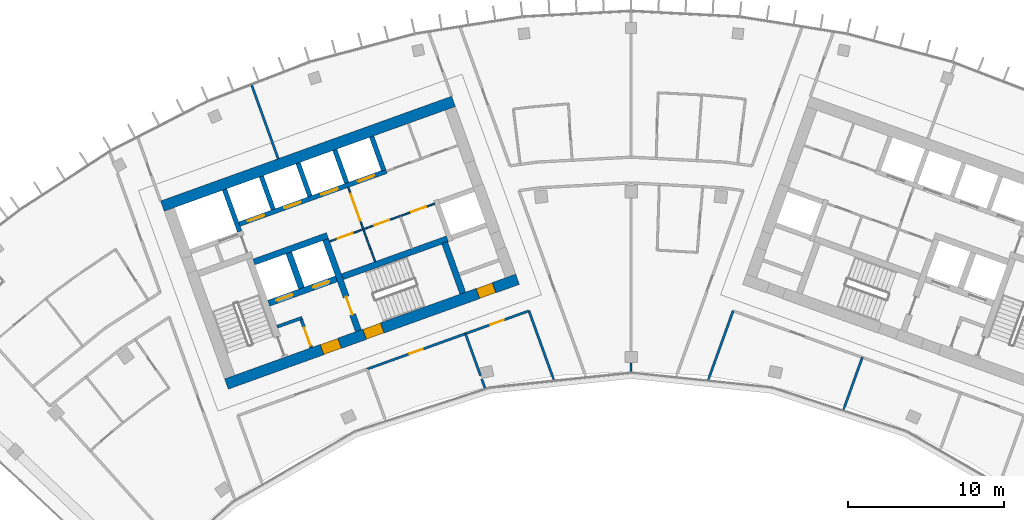
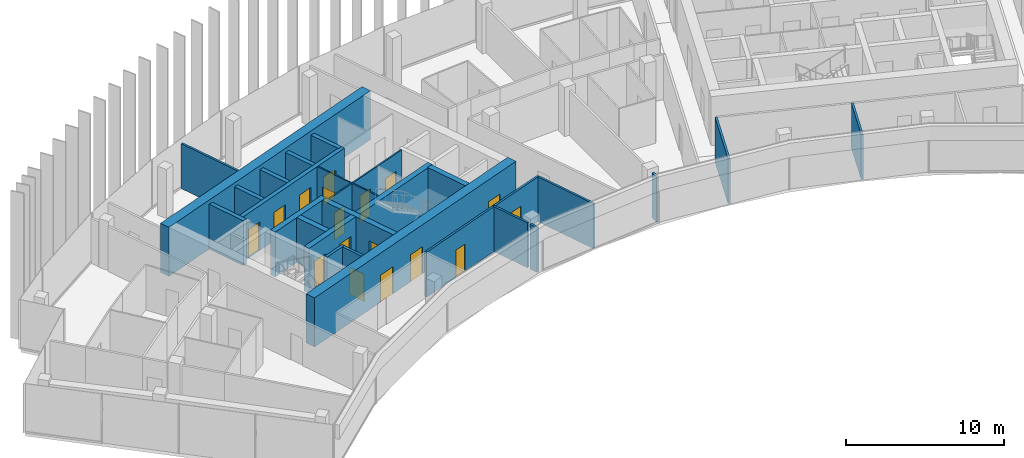
# One storey, part 14 of 19: 26 walls, 17 doors, 17 openings.
"""IFC4 building model written with IfcOpenShell, lengths in metres."""

from ifc_helpers import new_model, si_unit, direction, frame, frame_2d, origin, place, context, subcontext, project, spatial, rectangle, extrude, material, layer, layer_set, type_object, element, fill, save


model = new_model("IFC4")

# Units and contexts
model_context = context("Model", 3, precision=1e-05, world=origin(), true_north=direction((0.0, 1.0)))
body_context = subcontext(model_context, "Body", "Model", "MODEL_VIEW")
ifc_project = project(units=[si_unit("LENGTHUNIT", "METRE"), si_unit("AREAUNIT", "SQUARE_METRE"), si_unit("VOLUMEUNIT", "CUBIC_METRE"), si_unit("PLANEANGLEUNIT", "RADIAN"), si_unit("MASSUNIT", "GRAM", prefix="KILO")], contexts=[model_context])

# Site, building, storey
site_placement = place(None, origin())
site = spatial("IfcSite", under=ifc_project, at=site_placement, CompositionType="ELEMENT")
building_placement = place(site_placement, origin())
building = spatial("IfcBuilding", under=site, at=building_placement, Name="Stone Belt Terrace Tower", CompositionType="ELEMENT")
storey_placement = place(building_placement, frame((0.0, 0.0, 280.800048828125)))
storey = spatial("IfcBuildingStorey", under=building, at=storey_placement, Name="L68", CompositionType="ELEMENT", Elevation=280.800048828125)

# Wall, openings, doors
ifc_material_1 = material(Name="Plasterboard partition")
ifc_layer_1 = layer(ifc_material_1, 0.10009765625)
ifc_layer_set_1 = layer_set([ifc_layer_1], Name="Core partition 100")
wall_type_1 = type_object("IfcWallType", Name="Core partition 100", PredefinedType="PARTITIONING", material=ifc_layer_set_1)
wall_1_placement = place(storey_placement, frame((-19.29052734375, 51.829833984375, 0.0), z_axis=(0.0, 0.0, 1.0), x_axis=(0.94092179465, 0.338623945331, 0.0)))
wall_1 = element("IfcWall", 1, at=wall_1_placement, inside=storey, type_object=wall_type_1, Name="Core A wall", PredefinedType="PARTITIONING", context=body_context, shape_type="SweptSolid", body=[
    extrude(rectangle(XDim=7.14990234375, YDim=0.10009765625, at=frame_2d((3.574951171875, 0.0))), origin(), (0.0, 0.0, 1.0), 3.47998046875),
])
opening_1_placement = place(wall_1_placement, frame((0.550048828125, 0.0, 0.0)))
opening_1 = element("IfcOpeningElement", 2, at=opening_1_placement, cuts=wall_1, Name="Opening L68-C03", PredefinedType="OPENING", context=body_context, shape_type="SweptSolid", body=[
    extrude(rectangle(XDim=1.0, YDim=2.10009765625, at=frame_2d((0.5, 1.050048828125))), frame((0.0, 0.06005859375, 0.0), z_axis=(0.0, -1.0, 0.0), x_axis=(1.0, 0.0, 0.0)), (0.0, 0.0, 1.0), 0.1201171875),
])
opening_2_placement = place(wall_1_placement, frame((3.050048828125, 0.0, 0.0)))
opening_2 = element("IfcOpeningElement", 3, at=opening_2_placement, cuts=wall_1, Name="Opening L68-C04", PredefinedType="OPENING", context=body_context, shape_type="SweptSolid", body=[
    extrude(rectangle(XDim=1.0, YDim=2.10009765625, at=frame_2d((0.5, 1.050048828125))), frame((0.0, 0.06005859375, 0.0), z_axis=(0.0, -1.0, 0.0), x_axis=(1.0, 0.0, 0.0)), (0.0, 0.0, 1.0), 0.1201171875),
])
opening_3_placement = place(wall_1_placement, frame((5.550048828125, 0.0, 0.0)))
opening_3 = element("IfcOpeningElement", 4, at=opening_3_placement, cuts=wall_1, Name="Opening L68-C05", PredefinedType="OPENING", context=body_context, shape_type="SweptSolid", body=[
    extrude(rectangle(XDim=1.0, YDim=2.10009765625, at=frame_2d((0.5, 1.050048828125))), frame((0.0, 0.06005859375, 0.0), z_axis=(0.0, -1.0, 0.0), x_axis=(1.0, 0.0, 0.0)), (0.0, 0.0, 1.0), 0.1201171875),
])
ifc_material_2 = material(Name="Timber door leaf", Category="wood")
door_type_1 = type_object("IfcDoorType", Name="Core room door 1000", OperationType="SINGLE_SWING_LEFT", PredefinedType="DOOR", material=ifc_material_2)
door_1_placement = place(opening_1_placement, origin())
door_1 = element("IfcDoor", 5, at=door_1_placement, inside=storey, type_object=door_type_1, Name="Door to Electrical room core A", OperationType="SINGLE_SWING_LEFT", OverallHeight=2.10009765625, OverallWidth=1.0, PredefinedType="DOOR", context=body_context, shape_type="SweptSolid", body=[
    extrude(rectangle(XDim=1.0, YDim=2.10009765625, at=frame_2d((0.5, 1.050048828125))), frame((0.0, 0.02490234375, 0.0), z_axis=(0.0, -1.0, 0.0), x_axis=(1.0, 0.0, 0.0)), (0.0, 0.0, 1.0), 0.050048828125),
])
fill(opening_1, door_1)
door_2_placement = place(opening_2_placement, origin())
door_2 = element("IfcDoor", 6, at=door_2_placement, inside=storey, type_object=door_type_1, Name="Door to Ventilation plant room core A", OperationType="SINGLE_SWING_RIGHT", OverallHeight=2.10009765625, OverallWidth=1.0, PredefinedType="DOOR", context=body_context, shape_type="SweptSolid", body=[
    extrude(rectangle(XDim=1.0, YDim=2.10009765625, at=frame_2d((0.5, 1.050048828125))), frame((0.0, 0.02490234375, 0.0), z_axis=(0.0, -1.0, 0.0), x_axis=(1.0, 0.0, 0.0)), (0.0, 0.0, 1.0), 0.050048828125),
])
fill(opening_2, door_2)
door_3_placement = place(opening_3_placement, origin())
door_3 = element("IfcDoor", 7, at=door_3_placement, inside=storey, type_object=door_type_1, Name="Door to Services store core A", OperationType="SINGLE_SWING_LEFT", OverallHeight=2.10009765625, OverallWidth=1.0, PredefinedType="DOOR", context=body_context, shape_type="SweptSolid", body=[
    extrude(rectangle(XDim=1.0, YDim=2.10009765625, at=frame_2d((0.5, 1.050048828125))), frame((0.0, 0.02490234375, 0.0), z_axis=(0.0, -1.0, 0.0), x_axis=(1.0, 0.0, 0.0)), (0.0, 0.0, 1.0), 0.050048828125),
])
fill(opening_3, door_3)

# Wall, opening, door
wall_2_placement = place(storey_placement, frame((-16.38134765625, 50.53857421875, 0.0), z_axis=(0.0, 0.0, 1.0), x_axis=(-0.33860476744, 0.940928696271, 0.0)))
wall_2 = element("IfcWall", 8, at=wall_2_placement, inside=storey, type_object=wall_type_1, Name="Core A wall", PredefinedType="PARTITIONING", context=body_context, shape_type="SweptSolid", body=[
    extrude(rectangle(XDim=5.050048828125, YDim=0.10009765625, at=frame_2d((2.52490234375, 0.0))), origin(), (0.0, 0.0, 1.0), 3.47998046875),
])
opening_4_placement = place(wall_2_placement, frame((2.800048828125, 0.0, 0.0)))
opening_4 = element("IfcOpeningElement", 9, at=opening_4_placement, cuts=wall_2, Name="Opening L68-C08", PredefinedType="OPENING", context=body_context, shape_type="SweptSolid", body=[
    extrude(rectangle(XDim=1.800048828125, YDim=2.10009765625, at=frame_2d((0.89990234375, 1.050048828125))), frame((0.0, 0.06005859375, 0.0), z_axis=(0.0, -1.0, 0.0), x_axis=(1.0, 0.0, 0.0)), (0.0, 0.0, 1.0), 0.1201171875),
])
ifc_material_3 = material(Name="Glazed aluminium door leaf", Category="aluminium")
door_type_2 = type_object("IfcDoorType", Name="Lift lobby entrance door 1800", OperationType="DOUBLE_DOOR_SINGLE_SWING", PredefinedType="DOOR", material=ifc_material_3)
door_4_placement = place(opening_4_placement, origin())
door_4 = element("IfcDoor", 10, at=door_4_placement, inside=storey, type_object=door_type_2, Name="Lift lobby double door core A", OperationType="DOUBLE_DOOR_SINGLE_SWING", OverallHeight=2.10009765625, OverallWidth=1.800048828125, PredefinedType="DOOR", context=body_context, shape_type="SweptSolid", body=[
    extrude(rectangle(XDim=1.800048828125, YDim=2.10009765625, at=frame_2d((0.89990234375, 1.050048828125))), frame((0.0, 0.02490234375, 0.0), z_axis=(0.0, -1.0, 0.0), x_axis=(1.0, 0.0, 0.0)), (0.0, 0.0, 1.0), 0.050048828125),
])
fill(opening_4, door_4)

# Wall, openings, doors
ifc_material_4 = material(Name="Concrete B60", Category="concrete")
ifc_layer_2 = layer(ifc_material_4, 0.699951171875)
ifc_layer_set_2 = layer_set([ifc_layer_2], Name="Core wall 700 B60")
wall_type_2 = type_object("IfcWallType", Name="Core wall 700 B60", PredefinedType="SHEAR", material=ifc_layer_set_2)
wall_3_placement = place(storey_placement, frame((-25.890869140625, 42.705810546875, 0.0), z_axis=(0.0, 0.0, 1.0), x_axis=(0.940925130461, 0.338614676094, 0.0)))
wall_3 = element("IfcWall", 11, at=wall_3_placement, inside=storey, type_object=wall_type_2, Name="Core A wall concave L68", PredefinedType="SHEAR", context=body_context, shape_type="SweptSolid", body=[
    extrude(rectangle(XDim=19.800048828125, YDim=0.699951171875, at=frame_2d((9.89990234375, 0.0))), origin(), (0.0, 0.0, 1.0), 3.800048828125),
])
opening_5_placement = place(wall_3_placement, frame((6.5, 0.0, 0.0)))
opening_5 = element("IfcOpeningElement", 12, at=opening_5_placement, cuts=wall_3, Name="Opening L68-C12", PredefinedType="OPENING", context=body_context, shape_type="SweptSolid", body=[
    extrude(rectangle(XDim=1.199951171875, YDim=2.10009765625, at=frame_2d((0.60009765625, 1.050048828125))), frame((0.0, 0.35986328125, 0.0), z_axis=(0.0, -1.0, 0.0), x_axis=(1.0, 0.0, 0.0)), (0.0, 0.0, 1.0), 0.719970703125),
])
opening_6_placement = place(wall_3_placement, frame((9.39990234375, 0.0, 0.0)))
opening_6 = element("IfcOpeningElement", 13, at=opening_6_placement, cuts=wall_3, Name="Opening L68-C14", PredefinedType="OPENING", context=body_context, shape_type="SweptSolid", body=[
    extrude(rectangle(XDim=1.199951171875, YDim=2.10009765625, at=frame_2d((0.60009765625, 1.050048828125))), frame((0.0, 0.35986328125, 0.0), z_axis=(0.0, -1.0, 0.0), x_axis=(1.0, 0.0, 0.0)), (0.0, 0.0, 1.0), 0.719970703125),
])
opening_7_placement = place(wall_3_placement, frame((17.10009765625, 0.0, 0.0)))
opening_7 = element("IfcOpeningElement", 14, at=opening_7_placement, cuts=wall_3, Name="Opening L68-C16", PredefinedType="OPENING", context=body_context, shape_type="SweptSolid", body=[
    extrude(rectangle(XDim=1.10009765625, YDim=2.10009765625, at=frame_2d((0.550048828125, 1.050048828125))), frame((0.0, 0.35986328125, 0.0), z_axis=(0.0, -1.0, 0.0), x_axis=(1.0, 0.0, 0.0)), (0.0, 0.0, 1.0), 0.719970703125),
])
door_type_3 = type_object("IfcDoorType", Name="Core room door 1100", OperationType="SINGLE_SWING_LEFT", PredefinedType="DOOR", material=ifc_material_2)
door_5_placement = place(opening_7_placement, origin())
door_5 = element("IfcDoor", 15, at=door_5_placement, inside=storey, type_object=door_type_3, Name="Door to Pipe riser core A", OperationType="SINGLE_SWING_LEFT", OverallHeight=2.10009765625, OverallWidth=1.10009765625, PredefinedType="DOOR", context=body_context, shape_type="SweptSolid", body=[
    extrude(rectangle(XDim=1.10009765625, YDim=2.10009765625, at=frame_2d((0.550048828125, 1.050048828125))), frame((0.0, 0.330078125, 0.0), z_axis=(0.0, -1.0, 0.0), x_axis=(1.0, 0.0, 0.0)), (0.0, 0.0, 1.0), 0.659912109375),
])
fill(opening_7, door_5)
ifc_material_5 = material(Name="Steel door leaf", Category="steel")
door_type_4 = type_object("IfcDoorType", Name="Fire-fighting lobby door 1200", OperationType="SINGLE_SWING_LEFT", PredefinedType="DOOR", material=ifc_material_5)
door_6_placement = place(opening_5_placement, origin())
door_6 = element("IfcDoor", 16, at=door_6_placement, inside=storey, type_object=door_type_4, Name="Fire-fighting lobby door core A", OperationType="SINGLE_SWING_LEFT", OverallHeight=2.10009765625, OverallWidth=1.199951171875, PredefinedType="DOOR", context=body_context, shape_type="SweptSolid", body=[
    extrude(rectangle(XDim=1.199951171875, YDim=2.10009765625, at=frame_2d((0.60009765625, 1.050048828125))), frame((0.0, 0.330078125, 0.0), z_axis=(0.0, -1.0, 0.0), x_axis=(1.0, 0.0, 0.0)), (0.0, 0.0, 1.0), 0.659912109375),
])
fill(opening_5, door_6)
door_type_5 = type_object("IfcDoorType", Name="Stair door 1200", OperationType="SINGLE_SWING_LEFT", PredefinedType="DOOR", material=ifc_material_5)
door_7_placement = place(opening_6_placement, origin())
door_7 = element("IfcDoor", 17, at=door_7_placement, inside=storey, type_object=door_type_5, Name="Stair 2 exit door core A", OperationType="SINGLE_SWING_RIGHT", OverallHeight=2.10009765625, OverallWidth=1.199951171875, PredefinedType="DOOR", context=body_context, shape_type="SweptSolid", body=[
    extrude(rectangle(XDim=1.199951171875, YDim=2.10009765625, at=frame_2d((0.60009765625, 1.050048828125))), frame((0.0, 0.330078125, 0.0), z_axis=(0.0, -1.0, 0.0), x_axis=(1.0, 0.0, 0.0)), (0.0, 0.0, 1.0), 0.659912109375),
])
fill(opening_6, door_7)

# Walls
wall_4_placement = place(storey_placement, frame((-29.988037109375, 54.0908203125, 0.0), z_axis=(0.0, 0.0, 1.0), x_axis=(0.940919787944, 0.33862952124, 0.0)))
element("IfcWall", 18, at=wall_4_placement, inside=storey, type_object=wall_type_2, Name="Core A wall convex L68", PredefinedType="SHEAR", context=body_context, shape_type="SweptSolid", body=[
    extrude(rectangle(XDim=19.7998046875, YDim=0.699951171875, at=frame_2d((9.89990234375, 0.0))), origin(), (0.0, 0.0, 1.0), 3.800048828125),
])
ifc_material_6 = material(Name="Concrete B80", Category="concrete")
ifc_layer_3 = layer(ifc_material_6, 0.39990234375)
ifc_layer_set_3 = layer_set([ifc_layer_3], Name="Fire-fighting lift shaft wall 400")
wall_type_3 = type_object("IfcWallType", Name="Fire-fighting lift shaft wall 400", PredefinedType="SHEAR", material=ifc_layer_set_3)
wall_5_placement = place(storey_placement, frame((-24.130615234375, 50.512939453125, 0.0), z_axis=(0.0, 0.0, 1.0), x_axis=(0.94091168377, 0.338652038744, 0.0)))
element("IfcWall", 19, at=wall_5_placement, inside=storey, type_object=wall_type_3, Name="Core A wall", PredefinedType="SHEAR", context=body_context, shape_type="SweptSolid", body=[
    extrude(rectangle(XDim=5.000244140625, YDim=0.39990234375, at=frame_2d((2.5, 0.0))), origin(), (0.0, 0.0, 1.0), 3.47998046875),
])
wall_6_placement = place(storey_placement, frame((-21.0859375, 48.845458984375, 0.0), z_axis=(0.0, 0.0, 1.0), x_axis=(-0.338629416206, 0.940919825745, 0.0)))
element("IfcWall", 20, at=wall_6_placement, inside=storey, type_object=wall_type_3, Name="Core A wall", PredefinedType="SHEAR", context=body_context, shape_type="SweptSolid", body=[
    extrude(rectangle(XDim=2.400146484375, YDim=0.39990234375, at=frame_2d((1.2001953125, 0.0))), origin(), (0.0, 0.0, 1.0), 3.47998046875),
])
ifc_layer_4 = layer(ifc_material_6, 0.300048828125)
ifc_layer_set_4 = layer_set([ifc_layer_4], Name="Lift shaft wall 300")
wall_type_4 = type_object("IfcWallType", Name="Lift shaft wall 300", PredefinedType="SHEAR", material=ifc_layer_set_4)
wall_7_placement = place(storey_placement, frame((-25.046875, 52.46826171875, 0.0), z_axis=(0.0, 0.0, 1.0), x_axis=(-0.338549588058, 0.940948551423, 0.0)))
element("IfcWall", 21, at=wall_7_placement, inside=storey, type_object=wall_type_4, Name="Core A wall", PredefinedType="SHEAR", context=body_context, shape_type="SweptSolid", body=[
    extrude(rectangle(XDim=2.849853515625, YDim=0.300048828125, at=frame_2d((1.4248046875, 0.0))), origin(), (0.0, 0.0, 1.0), 3.47998046875),
])

# Wall, openings, doors
wall_8_placement = place(storey_placement, frame((-25.05810546875, 52.9423828125, 0.0), z_axis=(0.0, 0.0, 1.0), x_axis=(0.940924441602, 0.338616590255, 0.0)))
wall_8 = element("IfcWall", 22, at=wall_8_placement, inside=storey, type_object=wall_type_4, Name="Core A wall", PredefinedType="SHEAR", context=body_context, shape_type="SweptSolid", body=[
    extrude(rectangle(XDim=10.000244140625, YDim=0.300048828125, at=frame_2d((5.0, 0.0))), origin(), (0.0, 0.0, 1.0), 3.47998046875),
])
opening_8_placement = place(wall_8_placement, frame((0.570068359375, 0.0, 0.0)))
opening_8 = element("IfcOpeningElement", 23, at=opening_8_placement, cuts=wall_8, Name="Opening L68-LD01", PredefinedType="OPENING", context=body_context, shape_type="SweptSolid", body=[
    extrude(rectangle(XDim=1.10009765625, YDim=2.199951171875, at=frame_2d((0.550048828125, 1.10009765625))), frame((0.0, 0.159912109375, 0.0), z_axis=(0.0, -1.0, 0.0), x_axis=(1.0, 0.0, 0.0)), (0.0, 0.0, 1.0), 0.320068359375),
])
opening_9_placement = place(wall_8_placement, frame((3.070068359375, 0.0, 0.0)))
opening_9 = element("IfcOpeningElement", 24, at=opening_9_placement, cuts=wall_8, Name="Opening L68-LD02", PredefinedType="OPENING", context=body_context, shape_type="SweptSolid", body=[
    extrude(rectangle(XDim=1.10009765625, YDim=2.199951171875, at=frame_2d((0.550048828125, 1.10009765625))), frame((0.0, 0.159912109375, 0.0), z_axis=(0.0, -1.0, 0.0), x_axis=(1.0, 0.0, 0.0)), (0.0, 0.0, 1.0), 0.320068359375),
])
opening_10_placement = place(wall_8_placement, frame((5.570068359375, 0.0, 0.0)))
opening_10 = element("IfcOpeningElement", 25, at=opening_10_placement, cuts=wall_8, Name="Opening L68-LD03", PredefinedType="OPENING", context=body_context, shape_type="SweptSolid", body=[
    extrude(rectangle(XDim=1.10009765625, YDim=2.199951171875, at=frame_2d((0.550048828125, 1.10009765625))), frame((0.0, 0.159912109375, 0.0), z_axis=(0.0, -1.0, 0.0), x_axis=(1.0, 0.0, 0.0)), (0.0, 0.0, 1.0), 0.320068359375),
])
opening_11_placement = place(wall_8_placement, frame((8.070068359375, 0.0, 0.0)))
opening_11 = element("IfcOpeningElement", 26, at=opening_11_placement, cuts=wall_8, Name="Opening L68-LD04", PredefinedType="OPENING", context=body_context, shape_type="SweptSolid", body=[
    extrude(rectangle(XDim=1.10009765625, YDim=2.199951171875, at=frame_2d((0.550048828125, 1.10009765625))), frame((0.0, 0.159912109375, 0.0), z_axis=(0.0, -1.0, 0.0), x_axis=(1.0, 0.0, 0.0)), (0.0, 0.0, 1.0), 0.320068359375),
])
ifc_material_7 = material(Name="Stainless steel door leaf", Category="steel")
door_type_6 = type_object("IfcDoorType", Name="Landing door 1100", OperationType="SLIDING_TO_LEFT", PredefinedType="DOOR", material=ifc_material_7)
door_8_placement = place(opening_8_placement, origin())
door_8 = element("IfcDoor", 27, at=door_8_placement, inside=storey, type_object=door_type_6, Name="Landing door HR1 core A", OperationType="SLIDING_TO_LEFT", OverallHeight=2.199951171875, OverallWidth=1.10009765625, PredefinedType="DOOR", context=body_context, shape_type="SweptSolid", body=[
    extrude(rectangle(XDim=1.10009765625, YDim=2.199951171875, at=frame_2d((0.550048828125, 1.10009765625))), frame((0.0, 0.02490234375, 0.0), z_axis=(0.0, -1.0, 0.0), x_axis=(1.0, 0.0, 0.0)), (0.0, 0.0, 1.0), 0.050048828125),
])
fill(opening_8, door_8)
door_9_placement = place(opening_9_placement, origin())
door_9 = element("IfcDoor", 28, at=door_9_placement, inside=storey, type_object=door_type_6, Name="Landing door HR2 core A", OperationType="SLIDING_TO_LEFT", OverallHeight=2.199951171875, OverallWidth=1.10009765625, PredefinedType="DOOR", context=body_context, shape_type="SweptSolid", body=[
    extrude(rectangle(XDim=1.10009765625, YDim=2.199951171875, at=frame_2d((0.550048828125, 1.10009765625))), frame((0.0, 0.02490234375, 0.0), z_axis=(0.0, -1.0, 0.0), x_axis=(1.0, 0.0, 0.0)), (0.0, 0.0, 1.0), 0.050048828125),
])
fill(opening_9, door_9)
door_10_placement = place(opening_10_placement, origin())
door_10 = element("IfcDoor", 29, at=door_10_placement, inside=storey, type_object=door_type_6, Name="Landing door HR3 core A", OperationType="SLIDING_TO_LEFT", OverallHeight=2.199951171875, OverallWidth=1.10009765625, PredefinedType="DOOR", context=body_context, shape_type="SweptSolid", body=[
    extrude(rectangle(XDim=1.10009765625, YDim=2.199951171875, at=frame_2d((0.550048828125, 1.10009765625))), frame((0.0, 0.02490234375, 0.0), z_axis=(0.0, -1.0, 0.0), x_axis=(1.0, 0.0, 0.0)), (0.0, 0.0, 1.0), 0.050048828125),
])
fill(opening_10, door_10)
door_11_placement = place(opening_11_placement, origin())
door_11 = element("IfcDoor", 30, at=door_11_placement, inside=storey, type_object=door_type_6, Name="Landing door HR4 core A", OperationType="SLIDING_TO_LEFT", OverallHeight=2.199951171875, OverallWidth=1.10009765625, PredefinedType="DOOR", context=body_context, shape_type="SweptSolid", body=[
    extrude(rectangle(XDim=1.10009765625, YDim=2.199951171875, at=frame_2d((0.550048828125, 1.10009765625))), frame((0.0, 0.02490234375, 0.0), z_axis=(0.0, -1.0, 0.0), x_axis=(1.0, 0.0, 0.0)), (0.0, 0.0, 1.0), 0.050048828125),
])
fill(opening_11, door_11)

# Walls
wall_9_placement = place(storey_placement, frame((-22.897705078125, 53.87939453125, 0.0), z_axis=(0.0, 0.0, 1.0), x_axis=(-0.338535034312, 0.940953787677, 0.0)))
element("IfcWall", 31, at=wall_9_placement, inside=storey, type_object=wall_type_4, Name="Core A wall", PredefinedType="SHEAR", context=body_context, shape_type="SweptSolid", body=[
    extrude(rectangle(XDim=2.25, YDim=0.300048828125, at=frame_2d((1.125, 0.0))), origin(), (0.0, 0.0, 1.0), 3.47998046875),
])
wall_10_placement = place(storey_placement, frame((-20.54541015625, 54.72607421875, 0.0), z_axis=(0.0, 0.0, 1.0), x_axis=(-0.338569601369, 0.940941350472, 0.0)))
element("IfcWall", 32, at=wall_10_placement, inside=storey, type_object=wall_type_4, Name="Core A wall", PredefinedType="SHEAR", context=body_context, shape_type="SweptSolid", body=[
    extrude(rectangle(XDim=2.249755859375, YDim=0.300048828125, at=frame_2d((1.125, 0.0))), origin(), (0.0, 0.0, 1.0), 3.47998046875),
])
wall_11_placement = place(storey_placement, frame((-18.193115234375, 55.572509765625, 0.0), z_axis=(0.0, 0.0, 1.0), x_axis=(-0.338535034312, 0.940953787677, 0.0)))
element("IfcWall", 33, at=wall_11_placement, inside=storey, type_object=wall_type_4, Name="Core A wall", PredefinedType="SHEAR", context=body_context, shape_type="SweptSolid", body=[
    extrude(rectangle(XDim=2.25, YDim=0.300048828125, at=frame_2d((1.125, 0.0))), origin(), (0.0, 0.0, 1.0), 3.47998046875),
])
wall_12_placement = place(storey_placement, frame((-15.82373046875, 56.3720703125, 0.0), z_axis=(0.0, 0.0, 1.0), x_axis=(-0.338621735342, 0.94092258999, 0.0)))
element("IfcWall", 34, at=wall_12_placement, inside=storey, type_object=wall_type_4, Name="Core A wall", PredefinedType="SHEAR", context=body_context, shape_type="SweptSolid", body=[
    extrude(rectangle(XDim=2.300048828125, YDim=0.300048828125, at=frame_2d((1.14990234375, 0.0))), origin(), (0.0, 0.0, 1.0), 3.47998046875),
])
ifc_material_8 = material(Name="Gypsum board partition")
ifc_layer_5 = layer(ifc_material_8, 0.14990234375)
ifc_layer_set_5 = layer_set([ifc_layer_5], Name="PARTITION 150 EI 60")
wall_type_5 = type_object("IfcWallType", Name="PARTITION 150 EI 60", PredefinedType="PARTITIONING", material=ifc_layer_set_5)
wall_13_placement = place(storey_placement, frame((-4.9462890625, 42.980224609375, 0.0), z_axis=(0.0, 0.0, 1.0), x_axis=(-0.338653121837, 0.940911293943, 0.0)))
element("IfcWall", 35, at=wall_13_placement, inside=storey, type_object=wall_type_5, Name="L68/wall/i007", PredefinedType="PARTITIONING", context=body_context, shape_type="SweptSolid", body=[
    extrude(rectangle(XDim=4.69091796875, YDim=0.14990234375, at=frame_2d((2.345458984375, 0.0))), origin(), (0.0, 0.0, 1.0), 3.47998046875),
])

# Wall, opening, door
wall_14_placement = place(storey_placement, frame((-10.591064453125, 45.927001953125, 0.0), z_axis=(0.0, 0.0, 1.0), x_axis=(-0.940955650119, -0.338529857632, 0.0)))
wall_14 = element("IfcWall", 36, at=wall_14_placement, inside=storey, type_object=wall_type_5, Name="L68/wall/i012", PredefinedType="PARTITIONING", context=body_context, shape_type="SweptSolid", body=[
    extrude(rectangle(XDim=6.70263671875, YDim=0.14990234375, at=frame_2d((3.351318359375, 0.0))), origin(), (0.0, 0.0, 1.0), 3.47998046875),
])
opening_12_placement = place(wall_14_placement, frame((2.9013671875, 0.0, 0.0)))
opening_12 = element("IfcOpeningElement", 37, at=opening_12_placement, cuts=wall_14, Name="Opening D-E2-02", PredefinedType="OPENING", context=body_context, shape_type="SweptSolid", body=[
    extrude(rectangle(XDim=0.89990234375, YDim=2.10009765625, at=frame_2d((0.449951171875, 1.050048828125))), frame((0.0, 0.0849609375, 0.0), z_axis=(0.0, -1.0, 0.0), x_axis=(1.0, 0.0, 0.0)), (0.0, 0.0, 1.0), 0.169921875),
])
door_type_7 = type_object("IfcDoorType", Name="OFFICE DOOR 900 X 2100", OperationType="NOTDEFINED", PredefinedType="DOOR", material=ifc_material_2)
door_12_placement = place(opening_12_placement, origin())
door_12 = element("IfcDoor", 38, at=door_12_placement, inside=storey, type_object=door_type_7, Name="L68/door/i02", OperationType="SINGLE_SWING_RIGHT", OverallHeight=2.10009765625, OverallWidth=0.89990234375, PredefinedType="DOOR", context=body_context, shape_type="SweptSolid", body=[
    extrude(rectangle(XDim=0.89990234375, YDim=2.10009765625, at=frame_2d((0.449951171875, 1.050048828125))), frame((0.0, 0.02490234375, 0.0), z_axis=(0.0, -1.0, 0.0), x_axis=(1.0, 0.0, 0.0)), (0.0, 0.0, 1.0), 0.050048828125),
])
fill(opening_12, door_12)

wall_15_placement = place(storey_placement, frame((-6.532958984375, 47.387939453125, 0.0), z_axis=(0.0, 0.0, 1.0), x_axis=(-0.94091546888, -0.338641522001, 0.0)))
wall_15 = element("IfcWall", 39, at=wall_15_placement, inside=storey, type_object=wall_type_5, Name="L68/wall/i013", PredefinedType="PARTITIONING", context=body_context, shape_type="SweptSolid", body=[
    extrude(rectangle(XDim=4.32568359375, YDim=0.14990234375, at=frame_2d((2.162841796875, 0.0))), origin(), (0.0, 0.0, 1.0), 3.47998046875),
])
opening_13_placement = place(wall_15_placement, frame((1.712890625, 0.0, 0.0)))
opening_13 = element("IfcOpeningElement", 40, at=opening_13_placement, cuts=wall_15, Name="Opening D-E2-03", PredefinedType="OPENING", context=body_context, shape_type="SweptSolid", body=[
    extrude(rectangle(XDim=0.89990234375, YDim=2.10009765625, at=frame_2d((0.449951171875, 1.050048828125))), frame((0.0, 0.0849609375, 0.0), z_axis=(0.0, -1.0, 0.0), x_axis=(1.0, 0.0, 0.0)), (0.0, 0.0, 1.0), 0.169921875),
])
door_13_placement = place(opening_13_placement, origin())
door_13 = element("IfcDoor", 41, at=door_13_placement, inside=storey, type_object=door_type_7, Name="L68/door/i03", OperationType="SINGLE_SWING_RIGHT", OverallHeight=2.10009765625, OverallWidth=0.89990234375, PredefinedType="DOOR", context=body_context, shape_type="SweptSolid", body=[
    extrude(rectangle(XDim=0.89990234375, YDim=2.10009765625, at=frame_2d((0.449951171875, 1.050048828125))), frame((0.0, 0.02490234375, 0.0), z_axis=(0.0, -1.0, 0.0), x_axis=(1.0, 0.0, 0.0)), (0.0, 0.0, 1.0), 0.050048828125),
])
fill(opening_13, door_13)

# Walls
wall_16_placement = place(storey_placement, frame((-10.596923828125, 45.925048828125, 0.0), z_axis=(0.0, 0.0, 1.0), x_axis=(0.338677047669, -0.940902682206, 0.0)))
element("IfcWall", 42, at=wall_16_placement, inside=storey, type_object=wall_type_5, Name="L68/wall/i015", PredefinedType="PARTITIONING", context=body_context, shape_type="SweptSolid", body=[
    extrude(rectangle(XDim=2.853271484375, YDim=0.14990234375, at=frame_2d((1.4267578125, 0.0))), origin(), (0.0, 0.0, 1.0), 3.47998046875),
])
wall_17_placement = place(storey_placement, frame((-9.551025390625, 43.019287109375, 0.0), z_axis=(0.0, 0.0, 1.0), x_axis=(0.338837242168, -0.94084500494, 0.0)))
element("IfcWall", 43, at=wall_17_placement, inside=storey, type_object=wall_type_5, Name="L68/wall/i016", PredefinedType="PARTITIONING", context=body_context, shape_type="SweptSolid", body=[
    extrude(rectangle(XDim=0.587158203125, YDim=0.14990234375, at=frame_2d((0.29345703125, 0.0))), origin(), (0.0, 0.0, 1.0), 3.47998046875),
])
wall_18_placement = place(storey_placement, frame((-24.268798828125, 61.817138671875, 0.0), z_axis=(0.0, 0.0, 1.0), x_axis=(0.338715998231, -0.940888661077, 0.0)))
element("IfcWall", 44, at=wall_18_placement, inside=storey, type_object=wall_type_5, Name="L68/wall/i017", PredefinedType="PARTITIONING", context=body_context, shape_type="SweptSolid", body=[
    extrude(rectangle(XDim=4.982666015625, YDim=0.14990234375, at=frame_2d((2.4912109375, 0.0))), origin(), (0.0, 0.0, 1.0), 3.47998046875),
])
wall_19_placement = place(storey_placement, frame((6.534912109375, 47.39404296875, 0.0), z_axis=(0.0, 0.0, 1.0), x_axis=(-0.338653121837, -0.940911293943, 0.0)))
element("IfcWall", 45, at=wall_19_placement, inside=storey, type_object=wall_type_5, Name="L68/wall/i018", PredefinedType="PARTITIONING", context=body_context, shape_type="SweptSolid", body=[
    extrude(rectangle(XDim=4.69091796875, YDim=0.14990234375, at=frame_2d((2.345458984375, 0.0))), origin(), (0.0, 0.0, 1.0), 3.47998046875),
])
wall_20_placement = place(storey_placement, frame((14.802978515625, 44.410888671875, 0.0), z_axis=(0.0, 0.0, 1.0), x_axis=(-0.338738940611, -0.940880401599, 0.0)))
element("IfcWall", 46, at=wall_20_placement, inside=storey, type_object=wall_type_5, Name="L68/wall/i033", PredefinedType="PARTITIONING", context=body_context, shape_type="SweptSolid", body=[
    extrude(rectangle(XDim=3.5517578125, YDim=0.14990234375, at=frame_2d((1.77587890625, 0.0))), origin(), (0.0, 0.0, 1.0), 3.47998046875),
])
wall_21_placement = place(storey_placement, frame((0.0, 44.06494140625, 0.0), z_axis=(0.0, 0.0, 1.0), x_axis=(0.0, -1.0, 0.0)))
element("IfcWall", 47, at=wall_21_placement, inside=storey, type_object=wall_type_5, Name="L68/wall/i102", PredefinedType="PARTITIONING", context=body_context, shape_type="SweptSolid", body=[
    extrude(rectangle(XDim=0.56494140625, YDim=0.14990234375, at=frame_2d((0.282470703125, 0.0))), origin(), (0.0, 0.0, 1.0), 3.47998046875),
])
ifc_material_9 = material(Name="Concrete masonry block", Category="masonry")
ifc_layer_6 = layer(ifc_material_9, 0.199951171875)
ifc_layer_set_6 = layer_set([ifc_layer_6], Name="Rated lobby wall 200")
wall_type_6 = type_object("IfcWallType", Name="Rated lobby wall 200", PredefinedType="PARTITIONING", material=ifc_layer_set_6)
wall_22_placement = place(storey_placement, frame((-22.640625, 46.373046875, 0.0), z_axis=(0.0, 0.0, 1.0), x_axis=(0.940966110313, 0.338500781747, 0.0)))
element("IfcWall", 48, at=wall_22_placement, inside=storey, type_object=wall_type_6, Name="Core A wall", PredefinedType="PARTITIONING", context=body_context, shape_type="SweptSolid", body=[
    extrude(rectangle(XDim=1.699951171875, YDim=0.199951171875, at=frame_2d((0.85009765625, 0.0))), origin(), (0.0, 0.0, 1.0), 3.47998046875),
])

# Wall, opening, door
wall_23_placement = place(storey_placement, frame((-20.4580078125, 45.032958984375, 0.0), z_axis=(0.0, 0.0, 1.0), x_axis=(-0.338573865316, 0.940939816208, 0.0)))
wall_23 = element("IfcWall", 49, at=wall_23_placement, inside=storey, type_object=wall_type_6, Name="Core A wall", PredefinedType="PARTITIONING", context=body_context, shape_type="SweptSolid", body=[
    extrude(rectangle(XDim=1.900146484375, YDim=0.199951171875, at=frame_2d((0.9501953125, 0.0))), origin(), (0.0, 0.0, 1.0), 3.47998046875),
])
opening_14_placement = place(wall_23_placement, frame((0.14990234375, 0.0, 0.0)))
opening_14 = element("IfcOpeningElement", 50, at=opening_14_placement, cuts=wall_23, Name="Opening L68-C11", PredefinedType="OPENING", context=body_context, shape_type="SweptSolid", body=[
    extrude(rectangle(XDim=1.199951171875, YDim=2.10009765625, at=frame_2d((0.60009765625, 1.050048828125))), frame((0.0, 0.10986328125, 0.0), z_axis=(0.0, -1.0, 0.0), x_axis=(1.0, 0.0, 0.0)), (0.0, 0.0, 1.0), 0.219970703125),
])
door_14_placement = place(opening_14_placement, origin())
door_14 = element("IfcDoor", 51, at=door_14_placement, inside=storey, type_object=door_type_5, Name="Stair airlock door core A", OperationType="SINGLE_SWING_LEFT", OverallHeight=2.10009765625, OverallWidth=1.199951171875, PredefinedType="DOOR", context=body_context, shape_type="SweptSolid", body=[
    extrude(rectangle(XDim=1.199951171875, YDim=2.10009765625, at=frame_2d((0.60009765625, 1.050048828125))), frame((0.0, 0.02490234375, 0.0), z_axis=(0.0, -1.0, 0.0), x_axis=(1.0, 0.0, 0.0)), (0.0, 0.0, 1.0), 0.050048828125),
])
fill(opening_14, door_14)

# Wall, openings, doors
ifc_layer_7 = layer(ifc_material_6, 0.39990234375)
ifc_layer_set_7 = layer_set([ifc_layer_7], Name="Stair enclosure wall 400")
wall_type_7 = type_object("IfcWallType", Name="Stair enclosure wall 400", PredefinedType="SHEAR", material=ifc_layer_set_7)
wall_24_placement = place(storey_placement, frame((-23.182373046875, 47.87841796875, 0.0), z_axis=(0.0, 0.0, 1.0), x_axis=(0.940921731919, 0.338624119641, 0.0)))
wall_24 = element("IfcWall", 52, at=wall_24_placement, inside=storey, type_object=wall_type_7, Name="Core A wall", PredefinedType="SHEAR", context=body_context, shape_type="SweptSolid", body=[
    extrude(rectangle(XDim=12.14990234375, YDim=0.39990234375, at=frame_2d((6.074951171875, 0.0))), origin(), (0.0, 0.0, 1.0), 3.47998046875),
])
opening_15_placement = place(wall_24_placement, frame((0.52001953125, 0.0, 0.0)))
opening_15 = element("IfcOpeningElement", 53, at=opening_15_placement, cuts=wall_24, Name="Opening L68-LD05", PredefinedType="OPENING", context=body_context, shape_type="SweptSolid", body=[
    extrude(rectangle(XDim=1.10009765625, YDim=2.199951171875, at=frame_2d((0.550048828125, 1.10009765625))), frame((0.0, 0.2099609375, 0.0), z_axis=(0.0, -1.0, 0.0), x_axis=(1.0, 0.0, 0.0)), (0.0, 0.0, 1.0), 0.419921875),
])
opening_16_placement = place(wall_24_placement, frame((3.02001953125, 0.0, 0.0)))
opening_16 = element("IfcOpeningElement", 54, at=opening_16_placement, cuts=wall_24, Name="Opening L68-LD06", PredefinedType="OPENING", context=body_context, shape_type="SweptSolid", body=[
    extrude(rectangle(XDim=1.10009765625, YDim=2.199951171875, at=frame_2d((0.550048828125, 1.10009765625))), frame((0.0, 0.2099609375, 0.0), z_axis=(0.0, -1.0, 0.0), x_axis=(1.0, 0.0, 0.0)), (0.0, 0.0, 1.0), 0.419921875),
])
door_15_placement = place(opening_15_placement, origin())
door_15 = element("IfcDoor", 55, at=door_15_placement, inside=storey, type_object=door_type_6, Name="Landing door FF1 core A", OperationType="SLIDING_TO_LEFT", OverallHeight=2.199951171875, OverallWidth=1.10009765625, PredefinedType="DOOR", context=body_context, shape_type="SweptSolid", body=[
    extrude(rectangle(XDim=1.10009765625, YDim=2.199951171875, at=frame_2d((0.550048828125, 1.10009765625))), frame((0.0, 0.02490234375, 0.0), z_axis=(0.0, -1.0, 0.0), x_axis=(1.0, 0.0, 0.0)), (0.0, 0.0, 1.0), 0.050048828125),
])
fill(opening_15, door_15)
door_16_placement = place(opening_16_placement, origin())
door_16 = element("IfcDoor", 56, at=door_16_placement, inside=storey, type_object=door_type_6, Name="Landing door FF2 core A", OperationType="SLIDING_TO_LEFT", OverallHeight=2.199951171875, OverallWidth=1.10009765625, PredefinedType="DOOR", context=body_context, shape_type="SweptSolid", body=[
    extrude(rectangle(XDim=1.10009765625, YDim=2.199951171875, at=frame_2d((0.550048828125, 1.10009765625))), frame((0.0, 0.02490234375, 0.0), z_axis=(0.0, -1.0, 0.0), x_axis=(1.0, 0.0, 0.0)), (0.0, 0.0, 1.0), 0.050048828125),
])
fill(opening_16, door_16)

# Wall, opening, door
wall_25_placement = place(storey_placement, frame((-17.447021484375, 46.116455078125, 0.0), z_axis=(0.0, 0.0, 1.0), x_axis=(-0.33860791464, 0.940927563707, 0.0)))
wall_25 = element("IfcWall", 57, at=wall_25_placement, inside=storey, type_object=wall_type_7, Name="Core A wall", PredefinedType="SHEAR", context=body_context, shape_type="SweptSolid", body=[
    extrude(rectangle(XDim=6.199951171875, YDim=0.39990234375, at=frame_2d((3.10009765625, 0.0))), origin(), (0.0, 0.0, 1.0), 3.47998046875),
])
opening_17_placement = place(wall_25_placement, frame((1.10009765625, 0.0, 0.0)))
opening_17 = element("IfcOpeningElement", 58, at=opening_17_placement, cuts=wall_25, Name="Opening L68-C13", PredefinedType="OPENING", context=body_context, shape_type="SweptSolid", body=[
    extrude(rectangle(XDim=1.199951171875, YDim=2.10009765625, at=frame_2d((0.60009765625, 1.050048828125))), frame((0.0, 0.2099609375, 0.0), z_axis=(0.0, -1.0, 0.0), x_axis=(1.0, 0.0, 0.0)), (0.0, 0.0, 1.0), 0.419921875),
])
door_17_placement = place(opening_17_placement, origin())
door_17 = element("IfcDoor", 59, at=door_17_placement, inside=storey, type_object=door_type_5, Name="Stair 2 door core A", OperationType="SINGLE_SWING_LEFT", OverallHeight=2.10009765625, OverallWidth=1.199951171875, PredefinedType="DOOR", context=body_context, shape_type="SweptSolid", body=[
    extrude(rectangle(XDim=1.199951171875, YDim=2.10009765625, at=frame_2d((0.60009765625, 1.050048828125))), frame((0.0, 0.02490234375, 0.0), z_axis=(0.0, -1.0, 0.0), x_axis=(1.0, 0.0, 0.0)), (0.0, 0.0, 1.0), 0.050048828125),
])
fill(opening_17, door_17)

# Wall
wall_26_placement = place(storey_placement, frame((-10.766357421875, 48.520751953125, 0.0), z_axis=(0.0, 0.0, 1.0), x_axis=(-0.338621735342, 0.94092258999, 0.0)))
element("IfcWall", 60, at=wall_26_placement, inside=storey, type_object=wall_type_7, Name="Core A wall", PredefinedType="SHEAR", context=body_context, shape_type="SweptSolid", body=[
    extrude(rectangle(XDim=3.449951171875, YDim=0.39990234375, at=frame_2d((1.72509765625, 0.0))), origin(), (0.0, 0.0, 1.0), 3.47998046875),
])

save(model, "model.ifc")
